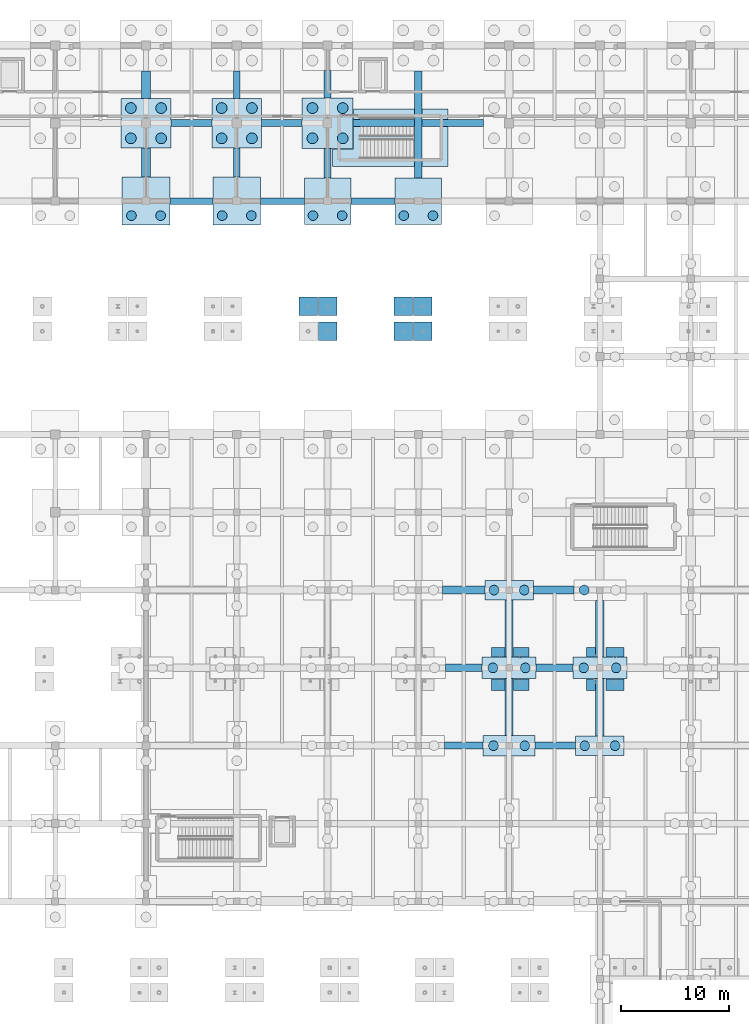
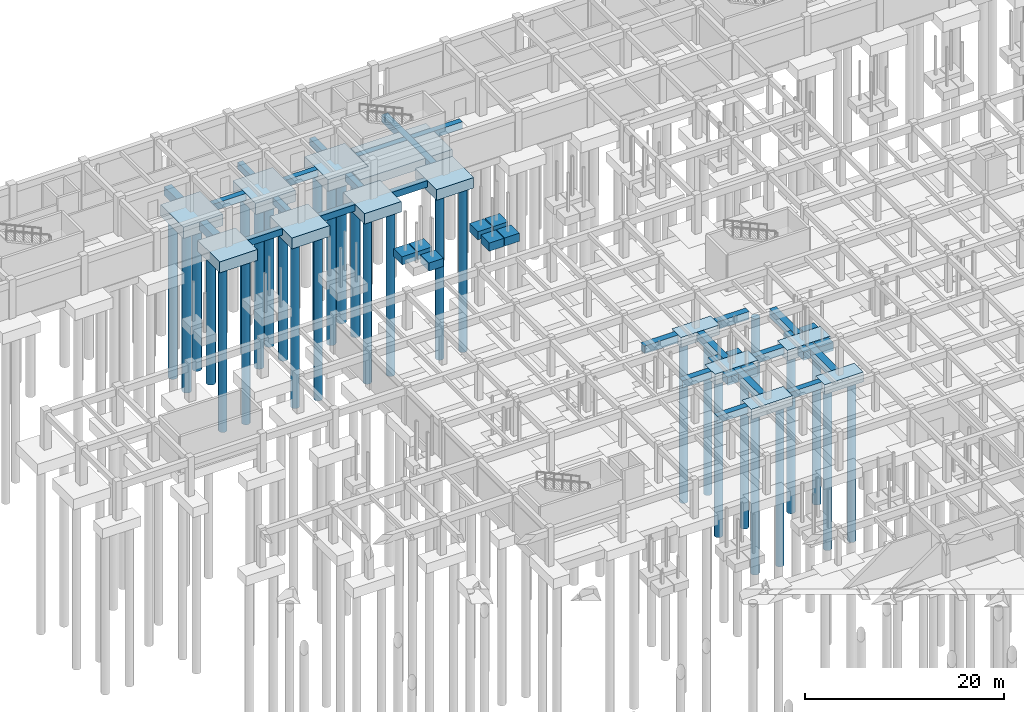
# One storey, part 8 of 80: 51 footings, 31 piles.
"""IFC4 building model written with IfcOpenShell, lengths in metres."""

from ifc_helpers import new_model, si_unit, direction, frame, origin, origin_2d, place, context, subcontext, project, spatial, polyline, rectangle, circle, outline, extrude, material, material_profile, profile_set, type_object, element, save


model = new_model("IFC4")

# Units and contexts
model_context = context("Model", 3, precision=1e-05, world=origin(), true_north=direction((0.0, 1.0)))
body_context = subcontext(model_context, "Body", "Model", "MODEL_VIEW")
ifc_project = project(units=[si_unit("LENGTHUNIT", "METRE"), si_unit("AREAUNIT", "SQUARE_METRE"), si_unit("VOLUMEUNIT", "CUBIC_METRE"), si_unit("PLANEANGLEUNIT", "RADIAN"), si_unit("MASSUNIT", "GRAM", prefix="KILO")], contexts=[model_context])

# Site, building, storey
site_placement = place(None, origin())
site = spatial("IfcSite", under=ifc_project, at=site_placement, CompositionType="ELEMENT")
building_placement = place(site_placement, origin())
building = spatial("IfcBuilding", under=site, at=building_placement, Name="Malvenik Polytechnic", CompositionType="ELEMENT")
storey_placement = place(building_placement, frame((0.0, 0.0, -4.800048828125)))
storey = spatial("IfcBuildingStorey", under=building, at=storey_placement, Name="B1", CompositionType="ELEMENT", Elevation=-4.800048828125)

# Footings
ifc_material = material(Name="Concrete C35/45", Category="concrete")
footing_type_1 = type_object("IfcFootingType", Name="STR-PC-1800x4500x1200", PredefinedType="PILE_CAP", material=ifc_material)
for number, where, z_axis, x_axis, name in (
    (1, (67.199951171875, 79.199951171875, -1.19970703125), (0.0, 0.0, 1.0), (1.0, 0.0, 0.0), "Pile Cap PC-01 #100"),
    (2, (75.60009765625, 64.800048828125, -1.19970703125), (0.0, 0.0, 1.0), (1.0, 0.0, 0.0), "Pile Cap PC-01 #112"),
):
    element("IfcFooting", number, at=place(storey_placement, frame(where, z_axis=z_axis, x_axis=x_axis)), inside=storey, type_object=footing_type_1, Name=name, PredefinedType="PILE_CAP", context=body_context, shape_type="SweptSolid", body=[
        extrude(rectangle(XDim=4.5, YDim=1.800048828125, at=origin_2d()), origin(), (0.0, 0.0, 1.0), 1.199951171875),
    ])
footing_type_2 = type_object("IfcFootingType", Name="STR-PC-1900x4800x1250", PredefinedType="PILE_CAP", material=ifc_material)
footing_1_placement = place(storey_placement, frame((67.199951171875, 64.800048828125, -1.25), z_axis=(0.0, 0.0, 1.0), x_axis=(1.0, 0.0, 0.0)))
element("IfcFooting", 3, at=footing_1_placement, inside=storey, type_object=footing_type_2, Name="Pile Cap PC-13 #98", PredefinedType="PILE_CAP", context=body_context, shape_type="SweptSolid", body=[
    extrude(rectangle(XDim=4.800048828125, YDim=1.89990234375, at=origin_2d()), origin(), (0.0, 0.0, 1.0), 1.25),
])
footing_type_3 = type_object("IfcFootingType", Name="STR-PC-2000x5000x1300", PredefinedType="PILE_CAP", material=ifc_material)
for number, where, z_axis, x_axis, name in (
    (4, (67.199951171875, 72.0, -1.2998046875), (0.0, 0.0, 1.0), (1.0, 0.0, 0.0), "Pile Cap PC-03 #99"),
    (5, (75.60009765625, 72.0, -1.2998046875), (0.0, 0.0, 1.0), (1.0, 0.0, 0.0), "Pile Cap PC-03 #113"),
):
    element("IfcFooting", number, at=place(storey_placement, frame(where, z_axis=z_axis, x_axis=x_axis)), inside=storey, type_object=footing_type_3, Name=name, PredefinedType="PILE_CAP", context=body_context, shape_type="SweptSolid", body=[
        extrude(rectangle(XDim=5.0, YDim=2.0, at=origin_2d()), origin(), (0.0, 0.0, 1.0), 1.300048828125),
    ])
footing_type_4 = type_object("IfcFootingType", Name="STR-PC-4600x4600x1400", PredefinedType="PILE_CAP", material=ifc_material)
for number, where, z_axis, x_axis, name in (
    (6, (33.60009765625, 122.39990234375, -1.39990234375), (0.0, 0.0, 1.0), (1.0, 0.0, 0.0), "Pile Cap PC-05 #55"),
    (7, (42.0, 122.39990234375, -1.39990234375), (0.0, 0.0, 1.0), (1.0, 0.0, 0.0), "Pile Cap PC-05 #67"),
):
    element("IfcFooting", number, at=place(storey_placement, frame(where, z_axis=z_axis, x_axis=x_axis)), inside=storey, type_object=footing_type_4, Name=name, PredefinedType="PILE_CAP", context=body_context, shape_type="SweptSolid", body=[
        extrude(rectangle(XDim=4.60009765625, YDim=4.60009765625, at=origin_2d()), origin(), (0.0, 0.0, 1.0), 1.39990234375),
    ])
footing_type_5 = type_object("IfcFootingType", Name="STR-PC-4700x4700x1450", PredefinedType="PILE_CAP", material=ifc_material)
footing_2_placement = place(storey_placement, frame((50.39990234375, 122.39990234375, -1.44970703125), z_axis=(0.0, 0.0, 1.0), x_axis=(1.0, 0.0, 0.0)))
element("IfcFooting", 8, at=footing_2_placement, inside=storey, type_object=footing_type_5, Name="Pile Cap PC-12 #80", PredefinedType="PILE_CAP", context=body_context, shape_type="SweptSolid", body=[
    extrude(rectangle(XDim=4.699951171875, YDim=4.699951171875, at=origin_2d()), origin(), (0.0, 0.0, 1.0), 1.449951171875),
])
footing_type_6 = type_object("IfcFootingType", Name="STR-PC-COMB-15", PredefinedType="PILE_CAP", material=ifc_material)
footing_3_placement = place(storey_placement, frame((33.60009765625, 115.199951171875, -1.35009765625), z_axis=(0.0, 0.0, 1.0), x_axis=(1.0, 0.0, 0.0)))
element("IfcFooting", 9, at=footing_3_placement, inside=storey, type_object=footing_type_6, Name="Pile Cap PCC-15 #54", PredefinedType="PILE_CAP", context=body_context, shape_type="SweptSolid", body=[
    extrude(rectangle(XDim=4.39990234375, YDim=4.39990234375, at=origin_2d()), origin(), (0.0, 0.0, 1.0), 1.35009765625),
])
footing_type_7 = type_object("IfcFootingType", Name="STR-PC-COMB-18", PredefinedType="PILE_CAP", material=ifc_material)
footing_4_placement = place(storey_placement, frame((42.0, 115.199951171875, -1.35009765625), z_axis=(0.0, 0.0, 1.0), x_axis=(1.0, 0.0, 0.0)))
element("IfcFooting", 10, at=footing_4_placement, inside=storey, type_object=footing_type_7, Name="Pile Cap PCC-18 #66", PredefinedType="PILE_CAP", context=body_context, shape_type="SweptSolid", body=[
    extrude(rectangle(XDim=4.39990234375, YDim=4.39990234375, at=origin_2d()), origin(), (0.0, 0.0, 1.0), 1.35009765625),
])
footing_type_8 = type_object("IfcFootingType", Name="STR-PC-COMB-22", PredefinedType="PILE_CAP", material=ifc_material)
footing_5_placement = place(storey_placement, frame((50.39990234375, 115.199951171875, -1.2998046875), z_axis=(0.0, 0.0, 1.0), x_axis=(1.0, 0.0, 0.0)))
element("IfcFooting", 11, at=footing_5_placement, inside=storey, type_object=footing_type_8, Name="Pile Cap PCC-22 #79", PredefinedType="PILE_CAP", context=body_context, shape_type="SweptSolid", body=[
    extrude(rectangle(XDim=4.300048828125, YDim=4.300048828125, at=origin_2d()), origin(), (0.0, 0.0, 1.0), 1.300048828125),
])
footing_type_9 = type_object("IfcFootingType", Name="STR-PC-COMB-25", PredefinedType="PILE_CAP", material=ifc_material)
footing_6_placement = place(storey_placement, frame((58.800048828125, 115.199951171875, -1.2998046875), z_axis=(0.0, 0.0, 1.0), x_axis=(1.0, 0.0, 0.0)))
element("IfcFooting", 12, at=footing_6_placement, inside=storey, type_object=footing_type_9, Name="Pile Cap PCC-25 #91", PredefinedType="PILE_CAP", context=body_context, shape_type="SweptSolid", body=[
    extrude(rectangle(XDim=4.300048828125, YDim=4.300048828125, at=origin_2d()), origin(), (0.0, 0.0, 1.0), 1.300048828125),
])

# Piles
ifc_material_profile_1 = material_profile(ifc_material, circle(Radius=0.5, at=origin_2d()), Name="BORED PILE D1000")
ifc_profile_set_1 = profile_set([ifc_material_profile_1], Name="Concrete C35/45")
pile_type_1 = type_object("IfcPileType", Name="STR-PL-D1000-196", PredefinedType="BORED", material=ifc_profile_set_1)
for number, where, z_axis, x_axis, name in (
    (13, (32.199951171875, 121.0, -1.300048828125), (0.0, 0.0, -1.0), (1.0, 0.0, 0.0), "Bored Pile PL-04 #123"),
    (14, (32.199951171875, 123.800048828125, -1.300048828125), (0.0, 0.0, -1.0), (1.0, 0.0, 0.0), "Bored Pile PL-04 #124"),
    (15, (35.0, 121.0, -1.300048828125), (0.0, 0.0, -1.0), (1.0, 0.0, 0.0), "Bored Pile PL-04 #125"),
    (16, (35.0, 123.800048828125, -1.300048828125), (0.0, 0.0, -1.0), (1.0, 0.0, 0.0), "Bored Pile PL-04 #126"),
    (17, (40.60009765625, 121.0, -1.300048828125), (0.0, 0.0, -1.0), (1.0, 0.0, 0.0), "Bored Pile PL-04 #151"),
    (18, (40.60009765625, 123.800048828125, -1.300048828125), (0.0, 0.0, -1.0), (1.0, 0.0, 0.0), "Bored Pile PL-04 #152"),
    (19, (43.39990234375, 121.0, -1.300048828125), (0.0, 0.0, -1.0), (1.0, 0.0, 0.0), "Bored Pile PL-04 #153"),
    (20, (43.39990234375, 123.800048828125, -1.300048828125), (0.0, 0.0, -1.0), (1.0, 0.0, 0.0), "Bored Pile PL-04 #154"),
    (21, (49.0, 121.0, -1.349853515625), (0.0, 0.0, -1.0), (1.0, 0.0, 0.0), "Bored Pile PL-04 #183"),
    (22, (49.0, 123.800048828125, -1.349853515625), (0.0, 0.0, -1.0), (1.0, 0.0, 0.0), "Bored Pile PL-04 #184"),
    (23, (51.800048828125, 121.0, -1.349853515625), (0.0, 0.0, -1.0), (1.0, 0.0, 0.0), "Bored Pile PL-04 #185"),
    (24, (51.800048828125, 123.800048828125, -1.349853515625), (0.0, 0.0, -1.0), (1.0, 0.0, 0.0), "Bored Pile PL-04 #186"),
):
    element("IfcPile", number, at=place(storey_placement, frame(where, z_axis=z_axis, x_axis=x_axis)), inside=storey, type_object=pile_type_1, Name=name, PredefinedType="BORED", context=body_context, shape_type="SweptSolid", body=[
        extrude(circle(Radius=0.5, at=origin_2d()), origin(), (0.0, 0.0, 1.0), 19.60009765625),
    ])
ifc_material_profile_2 = material_profile(ifc_material, circle(Radius=0.449951171875, at=origin_2d()), Name="BORED PILE D900")
ifc_profile_set_2 = profile_set([ifc_material_profile_2], Name="Concrete C35/45")
pile_type_2 = type_object("IfcPileType", Name="STR-PL-D900-195", PredefinedType="BORED", material=ifc_profile_set_2)
for number, where, z_axis, x_axis, name in (
    (25, (65.699951171875, 72.0, -1.199951171875), (0.0, 0.0, -1.0), (1.0, 0.0, 0.0), "Bored Pile PL-01 #229"),
    (26, (68.699951171875, 72.0, -1.199951171875), (0.0, 0.0, -1.0), (1.0, 0.0, 0.0), "Bored Pile PL-01 #230"),
    (27, (74.10009765625, 72.0, -1.199951171875), (0.0, 0.0, -1.0), (1.0, 0.0, 0.0), "Bored Pile PL-01 #261"),
    (28, (77.10009765625, 72.0, -1.199951171875), (0.0, 0.0, -1.0), (1.0, 0.0, 0.0), "Bored Pile PL-01 #262"),
):
    element("IfcPile", number, at=place(storey_placement, frame(where, z_axis=z_axis, x_axis=x_axis)), inside=storey, type_object=pile_type_2, Name=name, PredefinedType="BORED", context=body_context, shape_type="SweptSolid", body=[
        extrude(circle(Radius=0.449951171875, at=origin_2d()), origin(), (0.0, 0.0, 1.0), 19.5),
    ])
ifc_material_profile_3 = material_profile(ifc_material, circle(Radius=0.449951171875, at=origin_2d()), Name="BORED PILE D900")
ifc_profile_set_3 = profile_set([ifc_material_profile_3], Name="Concrete C35/45")
pile_type_3 = type_object("IfcPileType", Name="STR-PL-D900-198", PredefinedType="BORED", material=ifc_profile_set_3)
for number, where, z_axis, x_axis, name in (
    (29, (65.75, 64.800048828125, -1.14990234375), (0.0, 0.0, -1.0), (1.0, 0.0, 0.0), "Bored Pile PL-02 #227"),
    (30, (68.64990234375, 64.800048828125, -1.14990234375), (0.0, 0.0, -1.0), (1.0, 0.0, 0.0), "Bored Pile PL-02 #228"),
    (31, (65.800048828125, 79.199951171875, -1.099853515625), (0.0, 0.0, -1.0), (1.0, 0.0, 0.0), "Bored Pile PL-02 #231"),
    (32, (68.60009765625, 79.199951171875, -1.099853515625), (0.0, 0.0, -1.0), (1.0, 0.0, 0.0), "Bored Pile PL-02 #232"),
    (33, (74.199951171875, 64.800048828125, -1.099853515625), (0.0, 0.0, -1.0), (1.0, 0.0, 0.0), "Bored Pile PL-02 #259"),
    (34, (77.0, 64.800048828125, -1.099853515625), (0.0, 0.0, -1.0), (1.0, 0.0, 0.0), "Bored Pile PL-02 #260"),
    (35, (74.14990234375, 79.199951171875, -1.14990234375), (0.0, 0.0, -1.0), (1.0, 0.0, 0.0), "Bored Pile PL-02 #263"),
):
    element("IfcPile", number, at=place(storey_placement, frame(where, z_axis=z_axis, x_axis=x_axis)), inside=storey, type_object=pile_type_3, Name=name, PredefinedType="BORED", context=body_context, shape_type="SweptSolid", body=[
        extrude(circle(Radius=0.449951171875, at=origin_2d()), origin(), (0.0, 0.0, 1.0), 19.800048828125),
    ])
ifc_material_profile_4 = material_profile(ifc_material, circle(Radius=0.449951171875, at=origin_2d()), Name="BORED PILE D900")
ifc_profile_set_4 = profile_set([ifc_material_profile_4], Name="Concrete C35/45")
pile_type_4 = type_object("IfcPileType", Name="STR-PL-D900-202", PredefinedType="BORED", material=ifc_profile_set_4)
for number, where, z_axis, x_axis, name in (
    (36, (32.25, 113.85009765625, -1.25), (0.0, 0.0, -1.0), (1.0, 0.0, 0.0), "Bored Pile PL-03 #121"),
    (37, (34.949951171875, 113.85009765625, -1.25), (0.0, 0.0, -1.0), (1.0, 0.0, 0.0), "Bored Pile PL-03 #122"),
    (38, (40.64990234375, 113.85009765625, -1.25), (0.0, 0.0, -1.0), (1.0, 0.0, 0.0), "Bored Pile PL-03 #149"),
    (39, (43.35009765625, 113.85009765625, -1.25), (0.0, 0.0, -1.0), (1.0, 0.0, 0.0), "Bored Pile PL-03 #150"),
    (40, (49.050048828125, 113.85009765625, -1.199951171875), (0.0, 0.0, -1.0), (1.0, 0.0, 0.0), "Bored Pile PL-03 #181"),
    (41, (51.75, 113.85009765625, -1.199951171875), (0.0, 0.0, -1.0), (1.0, 0.0, 0.0), "Bored Pile PL-03 #182"),
    (42, (57.449951171875, 113.85009765625, -1.199951171875), (0.0, 0.0, -1.0), (1.0, 0.0, 0.0), "Bored Pile PL-03 #209"),
    (43, (60.14990234375, 113.85009765625, -1.199951171875), (0.0, 0.0, -1.0), (1.0, 0.0, 0.0), "Bored Pile PL-03 #210"),
):
    element("IfcPile", number, at=place(storey_placement, frame(where, z_axis=z_axis, x_axis=x_axis)), inside=storey, type_object=pile_type_4, Name=name, PredefinedType="BORED", context=body_context, shape_type="SweptSolid", body=[
        extrude(circle(Radius=0.449951171875, at=origin_2d()), origin(), (0.0, 0.0, 1.0), 20.199951171875),
    ])

# Footings
footing_type_10 = type_object("IfcFootingType", Name="STR-SF-600x800", PredefinedType="STRIP_FOOTING", material=ifc_material)
footing_7_placement = place(storey_placement, frame((0.0, 0.0, -0.800048828125)))
element("IfcFooting", 44, at=footing_7_placement, inside=storey, type_object=footing_type_10, Name="Ground Tie Beam SF-01 #133", PredefinedType="STRIP_FOOTING", context=body_context, shape_type="SweptSolid", body=[
    extrude(outline(polyline([(35.800048828125, 114.89990234375), (39.800048828125, 114.89990234375), (39.800048828125, 115.5), (35.800048828125, 115.5), (35.800048828125, 114.89990234375)])), origin(), (0.0, 0.0, 1.0), 0.800048828125),
])
footing_8_placement = place(storey_placement, frame((0.0, 0.0, -0.800048828125)))
element("IfcFooting", 45, at=footing_8_placement, inside=storey, type_object=footing_type_10, Name="Ground Tie Beam SF-01 #134", PredefinedType="STRIP_FOOTING", context=body_context, shape_type="SweptSolid", body=[
    extrude(outline(polyline([(44.199951171875, 114.89990234375), (48.25, 114.89990234375), (48.25, 115.5), (44.199951171875, 115.5), (44.199951171875, 114.89990234375)])), origin(), (0.0, 0.0, 1.0), 0.800048828125),
])
footing_9_placement = place(storey_placement, frame((0.0, 0.0, -0.800048828125)))
element("IfcFooting", 46, at=footing_9_placement, inside=storey, type_object=footing_type_10, Name="Ground Tie Beam SF-01 #135", PredefinedType="STRIP_FOOTING", context=body_context, shape_type="SweptSolid", body=[
    extrude(outline(polyline([(52.550048828125, 114.89990234375), (56.64990234375, 114.89990234375), (56.64990234375, 115.5), (52.550048828125, 115.5), (52.550048828125, 114.89990234375)])), origin(), (0.0, 0.0, 1.0), 0.800048828125),
])
footing_10_placement = place(storey_placement, frame((0.0, 0.0, -0.800048828125)))
element("IfcFooting", 47, at=footing_10_placement, inside=storey, type_object=footing_type_10, Name="Ground Tie Beam SF-01 #200", PredefinedType="STRIP_FOOTING", context=body_context, shape_type="SweptSolid", body=[
    extrude(outline(polyline([(41.699951171875, 117.39990234375), (42.300048828125, 117.39990234375), (42.300048828125, 120.10009765625), (41.699951171875, 120.10009765625), (41.699951171875, 117.39990234375)])), origin(), (0.0, 0.0, 1.0), 0.800048828125),
])
footing_11_placement = place(storey_placement, frame((0.0, 0.0, -0.800048828125)))
element("IfcFooting", 48, at=footing_11_placement, inside=storey, type_object=footing_type_10, Name="Ground Tie Beam SF-01 #201", PredefinedType="STRIP_FOOTING", context=body_context, shape_type="SweptSolid", body=[
    extrude(outline(polyline([(41.699951171875, 124.699951171875), (42.300048828125, 124.699951171875), (42.300048828125, 127.25), (41.699951171875, 127.25), (41.699951171875, 124.699951171875)])), origin(), (0.0, 0.0, 1.0), 0.800048828125),
])
footing_type_11 = type_object("IfcFootingType", Name="STR-SF-650x850", PredefinedType="STRIP_FOOTING", material=ifc_material)
footing_12_placement = place(storey_placement, frame((0.0, 0.0, -0.849853515625)))
element("IfcFooting", 49, at=footing_12_placement, inside=storey, type_object=footing_type_11, Name="Ground Tie Beam SF-02 #73", PredefinedType="STRIP_FOOTING", context=body_context, shape_type="SweptSolid", body=[
    extrude(outline(polyline([(61.199951171875, 64.47509765625), (64.800048828125, 64.47509765625), (64.800048828125, 65.125), (61.199951171875, 65.125), (61.199951171875, 64.47509765625)])), origin(), (0.0, 0.0, 1.0), 0.849853515625),
])
footing_13_placement = place(storey_placement, frame((0.0, 0.0, -0.849853515625)))
element("IfcFooting", 50, at=footing_13_placement, inside=storey, type_object=footing_type_11, Name="Ground Tie Beam SF-02 #74", PredefinedType="STRIP_FOOTING", context=body_context, shape_type="SweptSolid", body=[
    extrude(outline(polyline([(69.60009765625, 64.47509765625), (73.35009765625, 64.47509765625), (73.35009765625, 65.125), (69.60009765625, 65.125), (69.60009765625, 64.47509765625)])), origin(), (0.0, 0.0, 1.0), 0.849853515625),
])
footing_14_placement = place(storey_placement, frame((0.0, 0.0, -0.849853515625)))
element("IfcFooting", 51, at=footing_14_placement, inside=storey, type_object=footing_type_11, Name="Ground Tie Beam SF-02 #148", PredefinedType="STRIP_FOOTING", context=body_context, shape_type="SweptSolid", body=[
    extrude(outline(polyline([(35.89990234375, 122.074951171875), (39.699951171875, 122.074951171875), (39.699951171875, 122.72509765625), (35.89990234375, 122.72509765625), (35.89990234375, 122.074951171875)])), origin(), (0.0, 0.0, 1.0), 0.849853515625),
])
footing_15_placement = place(storey_placement, frame((0.0, 0.0, -0.849853515625)))
element("IfcFooting", 52, at=footing_15_placement, inside=storey, type_object=footing_type_11, Name="Ground Tie Beam SF-02 #149", PredefinedType="STRIP_FOOTING", context=body_context, shape_type="SweptSolid", body=[
    extrude(outline(polyline([(44.300048828125, 122.074951171875), (48.050048828125, 122.074951171875), (48.050048828125, 122.72509765625), (44.300048828125, 122.72509765625), (44.300048828125, 122.074951171875)])), origin(), (0.0, 0.0, 1.0), 0.849853515625),
])
footing_16_placement = place(storey_placement, frame((0.0, 0.0, -0.849853515625)))
element("IfcFooting", 53, at=footing_16_placement, inside=storey, type_object=footing_type_11, Name="Ground Tie Beam SF-02 #150", PredefinedType="STRIP_FOOTING", context=body_context, shape_type="SweptSolid", body=[
    extrude(outline(polyline([(52.75, 122.074951171875), (64.85009765625, 122.074951171875), (64.85009765625, 122.72509765625), (52.75, 122.72509765625), (52.75, 122.074951171875)])), origin(), (0.0, 0.0, 1.0), 0.849853515625),
])
footing_17_placement = place(storey_placement, frame((0.0, 0.0, -0.849853515625)))
element("IfcFooting", 54, at=footing_17_placement, inside=storey, type_object=footing_type_11, Name="Ground Tie Beam SF-02 #210", PredefinedType="STRIP_FOOTING", context=body_context, shape_type="SweptSolid", body=[
    extrude(outline(polyline([(50.074951171875, 117.35009765625), (50.72509765625, 117.35009765625), (50.72509765625, 120.050048828125), (50.074951171875, 120.050048828125), (50.074951171875, 117.35009765625)])), origin(), (0.0, 0.0, 1.0), 0.849853515625),
])
footing_18_placement = place(storey_placement, frame((0.0, 0.0, -0.849853515625)))
element("IfcFooting", 55, at=footing_18_placement, inside=storey, type_object=footing_type_11, Name="Ground Tie Beam SF-02 #211", PredefinedType="STRIP_FOOTING", context=body_context, shape_type="SweptSolid", body=[
    extrude(outline(polyline([(50.074951171875, 124.75), (50.72509765625, 124.75), (50.72509765625, 127.300048828125), (50.074951171875, 127.300048828125), (50.074951171875, 124.75)])), origin(), (0.0, 0.0, 1.0), 0.849853515625),
])
footing_type_12 = type_object("IfcFootingType", Name="STR-SF-700x900", PredefinedType="STRIP_FOOTING", material=ifc_material)
footing_19_placement = place(storey_placement, frame((0.0, 0.0, -0.89990234375)))
element("IfcFooting", 56, at=footing_19_placement, inside=storey, type_object=footing_type_12, Name="Ground Tie Beam SF-03 #85", PredefinedType="STRIP_FOOTING", context=body_context, shape_type="SweptSolid", body=[
    extrude(outline(polyline([(61.300048828125, 71.64990234375), (64.699951171875, 71.64990234375), (64.699951171875, 72.35009765625), (61.300048828125, 72.35009765625), (61.300048828125, 71.64990234375)])), origin(), (0.0, 0.0, 1.0), 0.89990234375),
])
footing_20_placement = place(storey_placement, frame((0.0, 0.0, -0.89990234375)))
element("IfcFooting", 57, at=footing_20_placement, inside=storey, type_object=footing_type_12, Name="Ground Tie Beam SF-03 #86", PredefinedType="STRIP_FOOTING", context=body_context, shape_type="SweptSolid", body=[
    extrude(outline(polyline([(69.699951171875, 71.64990234375), (73.10009765625, 71.64990234375), (73.10009765625, 72.35009765625), (69.699951171875, 72.35009765625), (69.699951171875, 71.64990234375)])), origin(), (0.0, 0.0, 1.0), 0.89990234375),
])
footing_21_placement = place(storey_placement, frame((0.0, 0.0, -0.89990234375)))
element("IfcFooting", 58, at=footing_21_placement, inside=storey, type_object=footing_type_12, Name="Ground Tie Beam SF-03 #219", PredefinedType="STRIP_FOOTING", context=body_context, shape_type="SweptSolid", body=[
    extrude(outline(polyline([(58.449951171875, 117.35009765625), (59.14990234375, 117.35009765625), (59.14990234375, 127.25), (58.449951171875, 127.25), (58.449951171875, 117.35009765625)])), origin(), (0.0, 0.0, 1.0), 0.89990234375),
])
footing_type_13 = type_object("IfcFootingType", Name="STR-SF-750x950", PredefinedType="STRIP_FOOTING", material=ifc_material)
footing_22_placement = place(storey_placement, frame((0.0, 0.0, -0.949951171875)))
element("IfcFooting", 59, at=footing_22_placement, inside=storey, type_object=footing_type_13, Name="Ground Tie Beam SF-04 #97", PredefinedType="STRIP_FOOTING", context=body_context, shape_type="SweptSolid", body=[
    extrude(outline(polyline([(61.050048828125, 78.824951171875), (64.949951171875, 78.824951171875), (64.949951171875, 79.574951171875), (61.050048828125, 79.574951171875), (61.050048828125, 78.824951171875)])), origin(), (0.0, 0.0, 1.0), 0.949951171875),
])
footing_23_placement = place(storey_placement, frame((0.0, 0.0, -0.949951171875)))
element("IfcFooting", 60, at=footing_23_placement, inside=storey, type_object=footing_type_13, Name="Ground Tie Beam SF-04 #98", PredefinedType="STRIP_FOOTING", context=body_context, shape_type="SweptSolid", body=[
    extrude(outline(polyline([(69.449951171875, 78.824951171875), (73.199951171875, 78.824951171875), (73.199951171875, 79.574951171875), (69.449951171875, 79.574951171875), (69.449951171875, 78.824951171875)])), origin(), (0.0, 0.0, 1.0), 0.949951171875),
])
footing_24_placement = place(storey_placement, frame((0.0, 0.0, -0.949951171875)))
element("IfcFooting", 61, at=footing_24_placement, inside=storey, type_object=footing_type_13, Name="Ground Tie Beam SF-04 #224", PredefinedType="STRIP_FOOTING", context=body_context, shape_type="SweptSolid", body=[
    extrude(outline(polyline([(66.824951171875, 65.75), (67.574951171875, 65.75), (67.574951171875, 71.0), (66.824951171875, 71.0), (66.824951171875, 65.75)])), origin(), (0.0, 0.0, 1.0), 0.949951171875),
])
footing_25_placement = place(storey_placement, frame((0.0, 0.0, -0.949951171875)))
element("IfcFooting", 62, at=footing_25_placement, inside=storey, type_object=footing_type_13, Name="Ground Tie Beam SF-04 #225", PredefinedType="STRIP_FOOTING", context=body_context, shape_type="SweptSolid", body=[
    extrude(outline(polyline([(66.824951171875, 73.0), (67.574951171875, 73.0), (67.574951171875, 78.300048828125), (66.824951171875, 78.300048828125), (66.824951171875, 73.0)])), origin(), (0.0, 0.0, 1.0), 0.949951171875),
])
footing_type_14 = type_object("IfcFootingType", Name="STR-SF-800x1000", PredefinedType="STRIP_FOOTING", material=ifc_material)
footing_26_placement = place(storey_placement, frame((0.0, 0.0, -1.0)))
element("IfcFooting", 63, at=footing_26_placement, inside=storey, type_object=footing_type_14, Name="Ground Tie Beam SF-05 #236", PredefinedType="STRIP_FOOTING", context=body_context, shape_type="SweptSolid", body=[
    extrude(outline(polyline([(75.199951171875, 65.699951171875), (76.0, 65.699951171875), (76.0, 71.0), (75.199951171875, 71.0), (75.199951171875, 65.699951171875)])), origin(), (0.0, 0.0, 1.0), 1.0),
])
footing_27_placement = place(storey_placement, frame((0.0, 0.0, -1.0)))
element("IfcFooting", 64, at=footing_27_placement, inside=storey, type_object=footing_type_14, Name="Ground Tie Beam SF-05 #237", PredefinedType="STRIP_FOOTING", context=body_context, shape_type="SweptSolid", body=[
    extrude(outline(polyline([(75.199951171875, 73.0), (76.0, 73.0), (76.0, 78.25), (75.199951171875, 78.25), (75.199951171875, 73.0)])), origin(), (0.0, 0.0, 1.0), 1.0),
])
footing_28_placement = place(storey_placement, frame((0.0, 0.0, -1.0)))
element("IfcFooting", 65, at=footing_28_placement, inside=storey, type_object=footing_type_14, Name="Bridge-Ramp Pier Footing #71.1", PredefinedType="STRIP_FOOTING", context=body_context, shape_type="SweptSolid", body=[
    extrude(outline(polyline([(77.85009765625, 69.89990234375), (76.14990234375, 69.89990234375), (76.14990234375, 70.969970703125), (77.85009765625, 70.969970703125), (77.85009765625, 69.89990234375)])), origin(), (0.0, 0.0, 1.0), 1.0),
])
footing_29_placement = place(storey_placement, frame((0.0, 0.0, -1.0)))
element("IfcFooting", 66, at=footing_29_placement, inside=storey, type_object=footing_type_14, Name="Bridge-Ramp Pier Footing #72.1", PredefinedType="STRIP_FOOTING", context=body_context, shape_type="SweptSolid", body=[
    extrude(outline(polyline([(76.14990234375, 73.89990234375), (77.85009765625, 73.89990234375), (77.85009765625, 73.030029296875), (76.14990234375, 73.030029296875), (76.14990234375, 73.89990234375)])), origin(), (0.0, 0.0, 1.0), 1.0),
])
footing_30_placement = place(storey_placement, frame((0.0, 0.0, -1.0)))
element("IfcFooting", 67, at=footing_30_placement, inside=storey, type_object=footing_type_14, Name="Bridge-Ramp Pier Footing #73.1", PredefinedType="STRIP_FOOTING", context=body_context, shape_type="SweptSolid", body=[
    extrude(outline(polyline([(74.35009765625, 69.89990234375), (74.35009765625, 70.969970703125), (75.169921875, 70.969970703125), (75.169921875, 69.89990234375), (74.35009765625, 69.89990234375)])), origin(), (0.0, 0.0, 1.0), 1.0),
])
footing_31_placement = place(storey_placement, frame((0.0, 0.0, -1.0)))
element("IfcFooting", 68, at=footing_31_placement, inside=storey, type_object=footing_type_14, Name="Bridge-Ramp Pier Footing #74.1", PredefinedType="STRIP_FOOTING", context=body_context, shape_type="SweptSolid", body=[
    extrude(outline(polyline([(74.35009765625, 73.89990234375), (75.169921875, 73.89990234375), (75.169921875, 73.030029296875), (74.35009765625, 73.030029296875), (74.35009765625, 73.89990234375)])), origin(), (0.0, 0.0, 1.0), 1.0),
])
footing_32_placement = place(storey_placement, frame((0.0, 0.0, -1.0)))
element("IfcFooting", 69, at=footing_32_placement, inside=storey, type_object=footing_type_14, Name="Bridge-Ramp Pier Footing #75.1", PredefinedType="STRIP_FOOTING", context=body_context, shape_type="SweptSolid", body=[
    extrude(outline(polyline([(69.050048828125, 69.89990234375), (67.60498046875, 69.89990234375), (67.60498046875, 70.969970703125), (69.050048828125, 70.969970703125), (69.050048828125, 69.89990234375)])), origin(), (0.0, 0.0, 1.0), 1.0),
])
footing_33_placement = place(storey_placement, frame((0.0, 0.0, -1.0)))
element("IfcFooting", 70, at=footing_33_placement, inside=storey, type_object=footing_type_14, Name="Bridge-Ramp Pier Footing #76.1", PredefinedType="STRIP_FOOTING", context=body_context, shape_type="SweptSolid", body=[
    extrude(outline(polyline([(69.050048828125, 73.89990234375), (69.050048828125, 73.030029296875), (67.60498046875, 73.030029296875), (67.60498046875, 73.89990234375), (69.050048828125, 73.89990234375)])), origin(), (0.0, 0.0, 1.0), 1.0),
])
footing_34_placement = place(storey_placement, frame((0.0, 0.0, -1.0)))
element("IfcFooting", 71, at=footing_34_placement, inside=storey, type_object=footing_type_14, Name="Bridge-Ramp Pier Footing #77.1", PredefinedType="STRIP_FOOTING", context=body_context, shape_type="SweptSolid", body=[
    extrude(outline(polyline([(65.550048828125, 69.89990234375), (65.550048828125, 70.969970703125), (66.794921875, 70.969970703125), (66.794921875, 69.89990234375), (65.550048828125, 69.89990234375)])), origin(), (0.0, 0.0, 1.0), 1.0),
])
footing_35_placement = place(storey_placement, frame((0.0, 0.0, -1.0)))
element("IfcFooting", 72, at=footing_35_placement, inside=storey, type_object=footing_type_14, Name="Bridge-Ramp Pier Footing #78.1", PredefinedType="STRIP_FOOTING", context=body_context, shape_type="SweptSolid", body=[
    extrude(outline(polyline([(65.550048828125, 73.89990234375), (66.794921875, 73.89990234375), (66.794921875, 73.030029296875), (65.550048828125, 73.030029296875), (65.550048828125, 73.89990234375)])), origin(), (0.0, 0.0, 1.0), 1.0),
])
footing_36_placement = place(storey_placement, frame((0.0, 0.0, -1.0)))
element("IfcFooting", 73, at=footing_36_placement, inside=storey, type_object=footing_type_14, Name="Bridge-Ramp Pier Footing #108.1", PredefinedType="STRIP_FOOTING", context=body_context, shape_type="SweptSolid", body=[
    extrude(outline(polyline([(47.75, 104.60009765625), (47.75, 106.300048828125), (49.449951171875, 106.300048828125), (49.449951171875, 104.60009765625), (47.75, 104.60009765625)])), origin(), (0.0, 0.0, 1.0), 1.0),
])
footing_37_placement = place(storey_placement, frame((0.0, 0.0, -1.0)))
element("IfcFooting", 74, at=footing_37_placement, inside=storey, type_object=footing_type_14, Name="Bridge-Ramp Pier Footing #109.1", PredefinedType="STRIP_FOOTING", context=body_context, shape_type="SweptSolid", body=[
    extrude(outline(polyline([(49.550048828125, 102.300048828125), (49.550048828125, 104.0), (51.25, 104.0), (51.25, 102.300048828125), (49.550048828125, 102.300048828125)])), origin(), (0.0, 0.0, 1.0), 1.0),
])
footing_38_placement = place(storey_placement, frame((0.0, 0.0, -1.0)))
element("IfcFooting", 75, at=footing_38_placement, inside=storey, type_object=footing_type_14, Name="Bridge-Ramp Pier Footing #110.1", PredefinedType="STRIP_FOOTING", context=body_context, shape_type="SweptSolid", body=[
    extrude(outline(polyline([(49.550048828125, 104.60009765625), (49.550048828125, 106.300048828125), (51.25, 106.300048828125), (51.25, 104.60009765625), (49.550048828125, 104.60009765625)])), origin(), (0.0, 0.0, 1.0), 1.0),
])
footing_39_placement = place(storey_placement, frame((0.0, 0.0, -1.0)))
element("IfcFooting", 76, at=footing_39_placement, inside=storey, type_object=footing_type_14, Name="Bridge-Ramp Pier Footing #111.1", PredefinedType="STRIP_FOOTING", context=body_context, shape_type="SweptSolid", body=[
    extrude(outline(polyline([(56.550048828125, 102.300048828125), (56.550048828125, 104.0), (58.25, 104.0), (58.25, 102.300048828125), (56.550048828125, 102.300048828125)])), origin(), (0.0, 0.0, 1.0), 1.0),
])
footing_40_placement = place(storey_placement, frame((0.0, 0.0, -1.0)))
element("IfcFooting", 77, at=footing_40_placement, inside=storey, type_object=footing_type_14, Name="Bridge-Ramp Pier Footing #112.1", PredefinedType="STRIP_FOOTING", context=body_context, shape_type="SweptSolid", body=[
    extrude(outline(polyline([(56.550048828125, 104.60009765625), (56.550048828125, 106.300048828125), (58.25, 106.300048828125), (58.25, 104.60009765625), (56.550048828125, 104.60009765625)])), origin(), (0.0, 0.0, 1.0), 1.0),
])
footing_41_placement = place(storey_placement, frame((0.0, 0.0, -1.0)))
element("IfcFooting", 78, at=footing_41_placement, inside=storey, type_object=footing_type_14, Name="Bridge-Ramp Pier Footing #113.1", PredefinedType="STRIP_FOOTING", context=body_context, shape_type="SweptSolid", body=[
    extrude(outline(polyline([(58.35009765625, 102.300048828125), (58.35009765625, 104.0), (60.050048828125, 104.0), (60.050048828125, 102.300048828125), (58.35009765625, 102.300048828125)])), origin(), (0.0, 0.0, 1.0), 1.0),
])
footing_42_placement = place(storey_placement, frame((0.0, 0.0, -1.0)))
element("IfcFooting", 79, at=footing_42_placement, inside=storey, type_object=footing_type_14, Name="Bridge-Ramp Pier Footing #114.1", PredefinedType="STRIP_FOOTING", context=body_context, shape_type="SweptSolid", body=[
    extrude(outline(polyline([(58.35009765625, 104.60009765625), (58.35009765625, 106.300048828125), (60.050048828125, 106.300048828125), (60.050048828125, 104.60009765625), (58.35009765625, 104.60009765625)])), origin(), (0.0, 0.0, 1.0), 1.0),
])
footing_type_15 = type_object("IfcFootingType", Name="STR-SF-850x1050", PredefinedType="STRIP_FOOTING", material=ifc_material)
footing_43_placement = place(storey_placement, frame((0.0, 0.0, -1.050048828125)))
element("IfcFooting", 80, at=footing_43_placement, inside=storey, type_object=footing_type_15, Name="Ground Tie Beam SF-08 #191", PredefinedType="STRIP_FOOTING", context=body_context, shape_type="SweptSolid", body=[
    extrude(outline(polyline([(33.175048828125, 117.39990234375), (34.02490234375, 117.39990234375), (34.02490234375, 120.10009765625), (33.175048828125, 120.10009765625), (33.175048828125, 117.39990234375)])), origin(), (0.0, 0.0, 1.0), 1.050048828125),
])
footing_44_placement = place(storey_placement, frame((0.0, 0.0, -1.050048828125)))
element("IfcFooting", 81, at=footing_44_placement, inside=storey, type_object=footing_type_15, Name="Ground Tie Beam SF-08 #192", PredefinedType="STRIP_FOOTING", context=body_context, shape_type="SweptSolid", body=[
    extrude(outline(polyline([(33.175048828125, 124.699951171875), (34.02490234375, 124.699951171875), (34.02490234375, 127.25), (33.175048828125, 127.25), (33.175048828125, 124.699951171875)])), origin(), (0.0, 0.0, 1.0), 1.050048828125),
])
footing_type_16 = type_object("IfcFootingType", Name="STR-SF-900x1100", PredefinedType="STRIP_FOOTING", material=ifc_material)
footing_45_placement = place(storey_placement, frame((0.0, 0.0, -1.099853515625)))
element("IfcFooting", 82, at=footing_45_placement, inside=storey, type_object=footing_type_16, Name="Core Wall Strip Footing #324", PredefinedType="STRIP_FOOTING", context=body_context, shape_type="SweptSolid", body=[
    extrude(outline(polyline([(61.550048828125, 123.699951171875), (61.550048828125, 118.39990234375), (50.85009765625, 118.39990234375), (50.85009765625, 120.02001953125), (52.75, 120.02001953125), (52.7529296875, 120.02001953125), (52.755859375, 120.0205078125), (52.7587890625, 120.021240234375), (52.761474609375, 120.022216796875), (52.76416015625, 120.0234375), (52.7666015625, 120.025146484375), (52.76904296875, 120.02685546875), (52.771240234375, 120.02880859375), (52.773193359375, 120.031005859375), (52.77490234375, 120.033203125), (52.776611328125, 120.035888671875), (52.777587890625, 120.03857421875), (52.77880859375, 120.041259765625), (52.779296875, 120.044189453125), (52.77978515625, 120.047119140625), (52.780029296875, 120.050048828125), (52.780029296875, 123.699951171875), (61.550048828125, 123.699951171875)])), origin(), (0.0, 0.0, 1.0), 1.099853515625),
])

save(model, "model.ifc")
